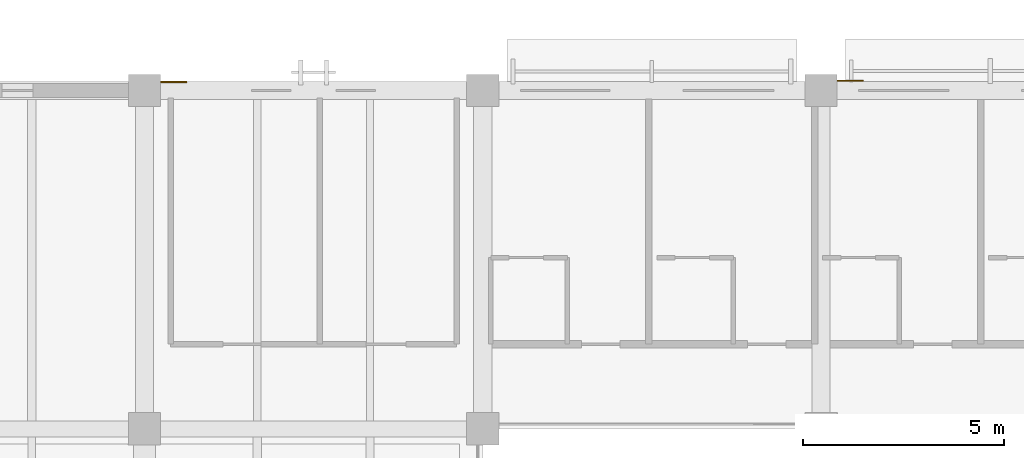
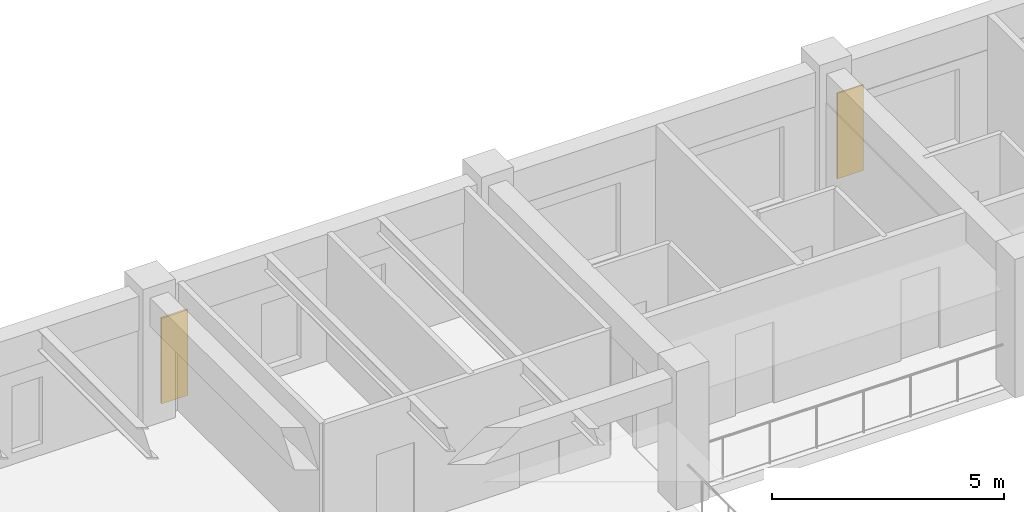
# One storey, part 109 of 118: 2 coverings.
"""IFC4 building model written with IfcOpenShell, lengths in metres."""

from ifc_helpers import new_model, si_unit, direction, frame, origin, place, context, subcontext, project, spatial, polyline, outline, extrude, material, layer, layer_set, type_object, element, save


model = new_model("IFC4")

# Units and contexts
model_context = context("Model", 3, precision=1e-05, world=origin(), true_north=direction((0.0, 1.0)))
body_context = subcontext(model_context, "Body", "Model", "MODEL_VIEW")
ifc_project = project(units=[si_unit("LENGTHUNIT", "METRE"), si_unit("AREAUNIT", "SQUARE_METRE"), si_unit("VOLUMEUNIT", "CUBIC_METRE"), si_unit("PLANEANGLEUNIT", "RADIAN"), si_unit("MASSUNIT", "GRAM", prefix="KILO")], contexts=[model_context])

# Site, building, storey
site_placement = place(None, origin())
site = spatial("IfcSite", under=ifc_project, at=site_placement, CompositionType="ELEMENT")
building_placement = place(site_placement, origin())
building = spatial("IfcBuilding", under=site, at=building_placement, Name="Cumbredor Promenade Congress Hotel", CompositionType="ELEMENT")
storey_placement = place(building_placement, frame((0.0, 0.0, 3.919921875)))
storey = spatial("IfcBuildingStorey", under=building, at=storey_placement, Name="L01", CompositionType="ELEMENT", Elevation=3.919921875)

# Coverings
ifc_material_1 = material(Name="Precast concrete C40/50", Category="concrete")
ifc_layer_1 = layer(ifc_material_1, 0.044921875, Name="Precast concrete C40/50", Category="concrete")
ifc_layer_set_1 = layer_set([ifc_layer_1], Name="Precast concrete C40/50")
covering_type_1 = type_object("IfcCoveringType", Name="Board-Formed Architectural Cladding Panel 45mm", PredefinedType="CLADDING", material=ifc_layer_set_1)
covering_1_placement = place(storey_placement, origin())
element("IfcCovering", 1, at=covering_1_placement, inside=storey, type_object=covering_type_1, Name="L01 Facade Stone Cladding Pier 074", PredefinedType="CLADDING", context=body_context, shape_type="SweptSolid", body=[
    extrude(outline(polyline([(109.60107421875, 117.7900390625), (110.2509765625, 117.7900390625), (110.2509765625, 117.8349609375), (109.60107421875, 117.8349609375), (109.60107421875, 117.7900390625)])), origin(), (0.0, 0.0, 1.0), 2.25),
])
ifc_material_2 = material(Name="Volcanic andesite ashlar cladding", Category="masonry")
ifc_layer_2 = layer(ifc_material_2, 0.034912109375, Name="Volcanic andesite ashlar cladding", Category="masonry")
ifc_layer_set_2 = layer_set([ifc_layer_2], Name="Volcanic andesite ashlar cladding")
covering_type_2 = type_object("IfcCoveringType", Name="Volcanic Andesite Ashlar Rainscreen Cladding 35mm", PredefinedType="CLADDING", material=ifc_layer_set_2)
covering_2_placement = place(storey_placement, origin())
element("IfcCovering", 2, at=covering_2_placement, inside=storey, type_object=covering_type_2, Name="L01 Facade Stone Cladding Pier 075", PredefinedType="CLADDING", context=body_context, shape_type="SweptSolid", body=[
    extrude(outline(polyline([(126.40087890625, 117.824951171875), (127.051025390625, 117.824951171875), (127.051025390625, 117.860107421875), (126.40087890625, 117.860107421875), (126.40087890625, 117.824951171875)])), origin(), (0.0, 0.0, 1.0), 2.25),
])

save(model, "model.ifc")
